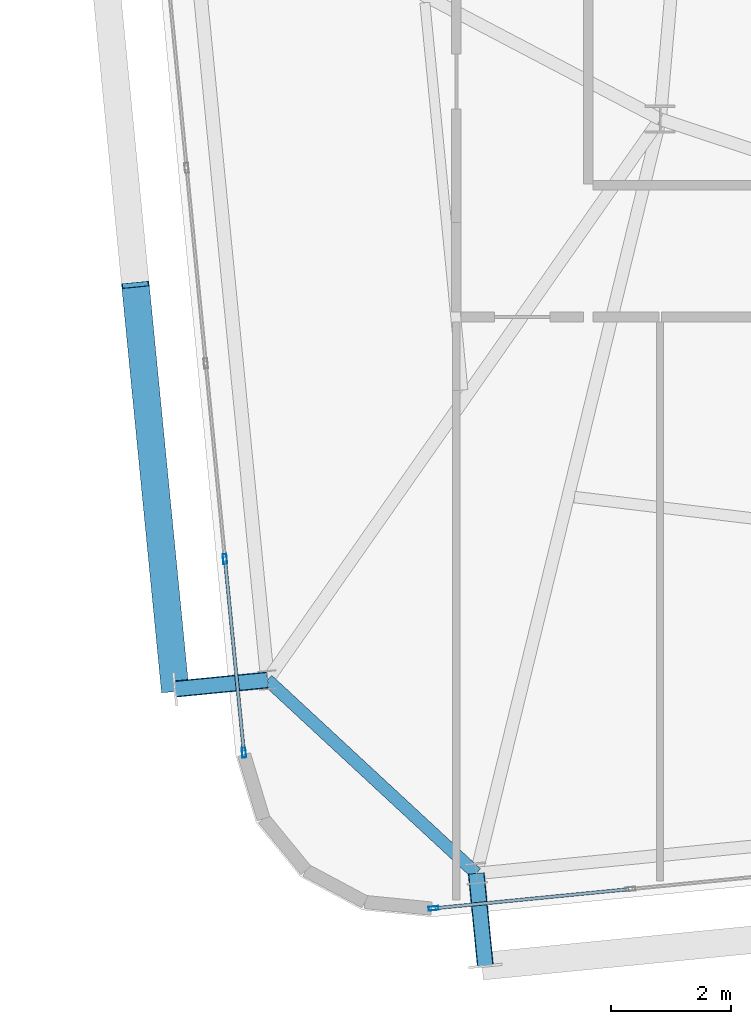
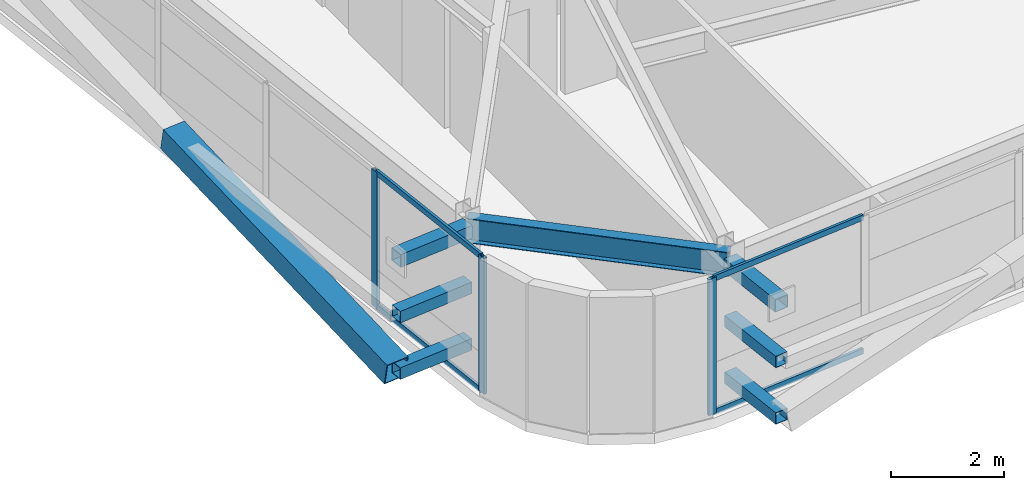
# One storey, part 5 of 52: 14 members, 1 beam, 2 elements without a shape of their own.
"""IFC4 building model written with IfcOpenShell, lengths in metres."""

from ifc_helpers import new_model, si_unit, direction, frame, origin, origin_2d, place, context, subcontext, project, spatial, hollow_rectangle, i_section, extrude, source, transform, mapped, material, layer, layer_set, material_profile, profile_set, type_object, element, aggregate, save


model = new_model("IFC4")

# Units and contexts
model_context = context("Model", 3, precision=1e-05, world=origin(), true_north=direction((0.0, 1.0)))
body_context = subcontext(model_context, "Body", "Model", "MODEL_VIEW")
ifc_project = project(units=[si_unit("LENGTHUNIT", "METRE"), si_unit("AREAUNIT", "SQUARE_METRE"), si_unit("VOLUMEUNIT", "CUBIC_METRE"), si_unit("PLANEANGLEUNIT", "RADIAN"), si_unit("MASSUNIT", "GRAM", prefix="KILO")], contexts=[model_context])

# Site, building, storey
site_placement = place(None, origin())
site = spatial("IfcSite", under=ifc_project, at=site_placement, CompositionType="ELEMENT")
building_placement = place(site_placement, origin())
building = spatial("IfcBuilding", under=site, at=building_placement, Name="Taldren Reach Tower", CompositionType="ELEMENT")
storey_placement = place(building_placement, frame((0.0, 0.0, 93.449951171875)))
storey = spatial("IfcBuildingStorey", under=building, at=storey_placement, Name="L28", CompositionType="ELEMENT", Elevation=93.449951171875)

# Beam
ifc_material_1 = material(Name="Steel Gr 350 (350PLUS)", Category="steel")
ifc_material_profile_1 = material_profile(ifc_material_1, i_section(OverallWidth=0.208984375, OverallDepth=0.528076171875, WebThickness=0.009521484375, FlangeThickness=0.01318359375, at=origin_2d()), Name="530UB82.0")
ifc_profile_set_1 = profile_set([ifc_material_profile_1], Name="Steel Gr 350 (350PLUS)")
beam_type = type_object("IfcBeamType", Name="SP-UB530B", PredefinedType="SPANDREL", material=ifc_profile_set_1)
shared_shape_1 = source(origin(), body_context, "Body", "SweptSolid", [
    extrude(i_section(OverallWidth=0.208984375, OverallDepth=0.528076171875, WebThickness=0.009521484375, FlangeThickness=0.01318359375, at=origin_2d()), origin(), (0.0, 0.0, 1.0), 4.745849609375),
])
beam_placement = place(storey_placement, frame((11.452880859375, 3.145751953125, 2.666015625), z_axis=(0.733524121458, -0.679663419083, 0.0), x_axis=(0.679663419083, 0.733524121458, 0.0)))
element("IfcBeam", 1, at=beam_placement, inside=storey, type_object=beam_type, Name="Perimeter spandrel B2 W1-S1 L28", PredefinedType="SPANDREL", context=body_context, shape_type="MappedRepresentation", body=[
    mapped(shared_shape_1, transform((0.0, 0.0, 0.0), scale=1.0)),
])

# Members
ifc_material_2 = material(Name="Steel Gr 450 (C450L0)", Category="steel")
ifc_material_profile_2 = material_profile(ifc_material_2, hollow_rectangle(XDim=0.27490234375, YDim=0.27490234375, WallThickness=0.00927734375, at=origin_2d()), Name="275x275x9.3SHS")
ifc_profile_set_2 = profile_set([ifc_material_profile_2], Name="Steel Gr 450 (C450L0)")
member_type_1 = type_object("IfcMemberType", Name="MB-TIE273", PredefinedType="STRUT", material=ifc_profile_set_2)
shared_shape_2 = source(origin(), body_context, "Body", "SweptSolid", [
    extrude(hollow_rectangle(XDim=0.27490234375, YDim=0.27490234375, WallThickness=0.00927734375, at=origin_2d()), origin(), (0.0, 0.0, 1.0), 1.550048828125),
])
for number, where, z_axis, x_axis, name in (
    (2, (14.93408203125, -0.079833984375, 2.650146484375), (0.097647892962, -0.9952210252, 0.0), (0.9952210252, 0.097647892962, 0.0), "Exoskeleton diaphragm tie strut B2-S1 L28"),
    (3, (11.452880859375, 3.145751953125, 2.650146484375), (-0.995236318924, -0.097491894511, 0.0), (0.097491894511, -0.995236318924, 0.0), "Exoskeleton diaphragm tie strut B2-W1 L28"),
):
    element("IfcMember", number, at=place(storey_placement, frame(where, z_axis=z_axis, x_axis=x_axis)), inside=storey, type_object=member_type_1, Name=name, PredefinedType="STRUT", context=body_context, shape_type="MappedRepresentation", body=[
        mapped(shared_shape_2, transform((0.0, 0.0, 0.0), scale=1.0)),
    ])
ifc_material_3 = material(Name="Steel Gr 350 (C350L0)", Category="steel")
ifc_material_profile_3 = material_profile(ifc_material_3, hollow_rectangle(XDim=0.25, YDim=0.25, WallThickness=0.010009765625, at=origin_2d()), Name="250x250x10.0SHS")
ifc_profile_set_3 = profile_set([ifc_material_profile_3], Name="Steel Gr 350 (C350L0)")
member_type_2 = type_object("IfcMemberType", Name="MB-POST250", PredefinedType="POST", material=ifc_profile_set_3)
shared_shape_3 = source(origin(), body_context, "Body", "SweptSolid", [
    extrude(hollow_rectangle(XDim=0.25, YDim=0.25, WallThickness=0.010009765625, at=origin_2d()), origin(), (0.0, 0.0, 1.0), 1.550048828125),
])
for number, where, z_axis, x_axis, name in (
    (4, (14.93408203125, -0.079833984375, 0.219970703125), (0.097647892962, -0.9952210252, 0.0), (0.9952210252, 0.097647892962, 0.0), "Exoskeleton base diaphragm tie strut B2-S1 L28"),
    (5, (11.452880859375, 3.145751953125, 0.219970703125), (-0.995236318924, -0.097491894511, 0.0), (0.097491894511, -0.995236318924, 0.0), "Exoskeleton base diaphragm tie strut B2-W1 L28"),
    (6, (14.93408203125, -0.079833984375, 1.43505859375), (0.097647892962, -0.9952210252, 0.0), (0.9952210252, 0.097647892962, 0.0), "Exoskeleton mid-tier diaphragm tie B2-S1 L28"),
    (7, (11.452880859375, 3.145751953125, 1.43505859375), (-0.995236318924, -0.097491894511, 0.0), (0.097491894511, -0.995236318924, 0.0), "Exoskeleton mid-tier diaphragm tie B2-W1 L28"),
):
    element("IfcMember", number, at=place(storey_placement, frame(where, z_axis=z_axis, x_axis=x_axis)), inside=storey, type_object=member_type_2, Name=name, PredefinedType="POST", context=body_context, shape_type="MappedRepresentation", body=[
        mapped(shared_shape_3, transform((0.0, 0.0, 0.0), scale=1.0)),
    ])
ifc_material_profile_4 = material_profile(ifc_material_2, hollow_rectangle(XDim=0.4599609375, YDim=0.4599609375, WallThickness=0.01611328125, at=origin_2d()), Name="460x460x16.0SHS")
ifc_profile_set_4 = profile_set([ifc_material_profile_4], Name="Steel Gr 450 (C450L0)")
member_type_3 = type_object("IfcMemberType", Name="MB-EXO457", PredefinedType="BRACE", material=ifc_profile_set_4)
shared_shape_4 = source(origin(), body_context, "Body", "SweptSolid", [
    extrude(hollow_rectangle(XDim=0.4599609375, YDim=0.4599609375, WallThickness=0.01611328125, at=origin_2d()), origin(), (0.0, 0.0, 1.0), 6.883056640625),
])
member_1_placement = place(storey_placement, frame((9.91015625, 2.99462890625, 0.219970703125), z_axis=(-0.09605145821, 0.97959718347, 0.176531797456), x_axis=(-0.995227290009, -0.097584021339, 0.0)))
element("IfcMember", 8, at=member_1_placement, inside=storey, type_object=member_type_3, Name="Exoskeleton Diagrid Brace B2-W1 L28", PredefinedType="BRACE", context=body_context, shape_type="MappedRepresentation", body=[
    mapped(shared_shape_4, transform((0.0, 0.0, 0.0), scale=1.0)),
])

# Curtain wall, member
ifc_material_4 = material(Name="Aluminium and Low-E Glass Unitised System", Category="aluminium")
ifc_layer = layer(ifc_material_4, 0.159912109375)
ifc_layer_set = layer_set([ifc_layer], Name="Aluminium and Low-E Glass Unitised System")
curtain_wall_type = type_object("IfcCurtainWallType", Name="CW-SYS-3", PredefinedType="NOTDEFINED", material=ifc_layer_set)
curtain_wall_1_placement = place(storey_placement, origin())
curtain_wall_1 = element("IfcCurtainWall", 9, at=curtain_wall_1_placement, inside=storey, type_object=curtain_wall_type, Name="Unitised curtain wall CW-L28-S", PredefinedType="NOTDEFINED")
ifc_material_5 = material(Name="Anodised Aluminium 6063-T6", Category="aluminium")
ifc_material_profile_5 = material_profile(ifc_material_5, hollow_rectangle(XDim=0.06494140625, YDim=0.1650390625, WallThickness=0.00390625, at=origin_2d()), Name="ALU-165x65x4RHS")
ifc_profile_set_5 = profile_set([ifc_material_profile_5], Name="Anodised Aluminium 6063-T6")
member_type_4 = type_object("IfcMemberType", Name="CW-MUL-165", PredefinedType="MULLION", material=ifc_profile_set_5)
shared_shape_5 = source(origin(), body_context, "Body", "SweptSolid", [
    extrude(hollow_rectangle(XDim=0.06494140625, YDim=0.1650390625, WallThickness=0.00390625, at=origin_2d()), origin(), (0.0, 0.0, 1.0), 2.929931640625),
])
member_2_placement = place(storey_placement, frame((14.22021484375, -0.662353515625, 0.0), z_axis=(0.0, 0.0, 1.0), x_axis=(-0.097582999046, 0.995227390247, 0.0)))
member_2 = element("IfcMember", 10, at=member_2_placement, type_object=member_type_4, Name="CW-3 mullion 1", PredefinedType="MULLION", context=body_context, shape_type="MappedRepresentation", body=[
    mapped(shared_shape_5, transform((0.0, 0.0, 0.0), scale=1.0)),
])

# Curtain wall, members
curtain_wall_2_placement = place(storey_placement, origin())
curtain_wall_2 = element("IfcCurtainWall", 11, at=curtain_wall_2_placement, inside=storey, type_object=curtain_wall_type, Name="Unitised curtain wall CW-L28-W", PredefinedType="NOTDEFINED")
member_3_placement = place(storey_placement, frame((10.742431640625, 5.163818359375, 0.0), z_axis=(0.0, 0.0, 1.0), x_axis=(0.99522741555, 0.09758274098, 0.0)))
member_3 = element("IfcMember", 12, at=member_3_placement, type_object=member_type_4, Name="CW-3 mullion 9", PredefinedType="MULLION", context=body_context, shape_type="MappedRepresentation", body=[
    mapped(shared_shape_5, transform((0.0, 0.0, 0.0), scale=1.0)),
])
member_4_placement = place(storey_placement, frame((11.05908203125, 1.93408203125, 0.0), z_axis=(0.0, 0.0, 1.0), x_axis=(0.99522741555, 0.09758274098, 0.0)))
member_4 = element("IfcMember", 13, at=member_4_placement, type_object=member_type_4, Name="CW-3 mullion 10", PredefinedType="MULLION", context=body_context, shape_type="MappedRepresentation", body=[
    mapped(shared_shape_5, transform((0.0, 0.0, 0.0), scale=1.0)),
])

# Member
ifc_material_profile_6 = material_profile(ifc_material_5, hollow_rectangle(XDim=0.054931640625, YDim=0.1201171875, WallThickness=0.0029296875, at=origin_2d()), Name="ALU-120x55x3RHS")
ifc_profile_set_6 = profile_set([ifc_material_profile_6], Name="Anodised Aluminium 6063-T6")
member_type_5 = type_object("IfcMemberType", Name="CW-TRN-135", PredefinedType="USERDEFINED", material=ifc_profile_set_6)
shared_shape_6 = source(origin(), body_context, "Body", "SweptSolid", [
    extrude(hollow_rectangle(XDim=0.054931640625, YDim=0.1201171875, WallThickness=0.0029296875, at=origin_2d()), origin(), (0.0, 0.0, 1.0), 3.23583984375),
])
member_5_placement = place(storey_placement, frame((14.25244140625, -0.6591796875, 0.027587890625), z_axis=(0.995230248826, 0.097553840629, 0.0), x_axis=(-0.097553840629, 0.995230248826, 0.0)))
member_5 = element("IfcMember", 14, at=member_5_placement, type_object=member_type_5, Name="CW-3 transom 1.1", ObjectType="TRANSOM", PredefinedType="USERDEFINED", context=body_context, shape_type="MappedRepresentation", body=[
    mapped(shared_shape_6, transform((0.0, 0.0, 0.0), scale=1.0)),
])

member_6_placement = place(storey_placement, frame((14.25244140625, -0.6591796875, 2.902587890625), z_axis=(0.995230248826, 0.097553840629, 0.0), x_axis=(-0.097553840629, 0.995230248826, 0.0)))
member_6 = element("IfcMember", 15, at=member_6_placement, type_object=member_type_5, Name="CW-3 transom 1.2", ObjectType="TRANSOM", PredefinedType="USERDEFINED", context=body_context, shape_type="MappedRepresentation", body=[
    mapped(shared_shape_6, transform((0.0, 0.0, 0.0), scale=1.0)),
])

aggregate(curtain_wall_1, [member_2, member_5, member_6])

shared_shape_7 = source(origin(), body_context, "Body", "SweptSolid", [
    extrude(hollow_rectangle(XDim=0.054931640625, YDim=0.1201171875, WallThickness=0.0029296875, at=origin_2d()), origin(), (0.0, 0.0, 1.0), 3.180419921875),
])
member_7_placement = place(storey_placement, frame((10.74560546875, 5.131591796875, 0.027587890625), z_axis=(0.097565460739, -0.995229109738, 0.0), x_axis=(0.995229109738, 0.097565460739, 0.0)))
member_7 = element("IfcMember", 16, at=member_7_placement, type_object=member_type_5, Name="CW-3 transom 9.1", ObjectType="TRANSOM", PredefinedType="USERDEFINED", context=body_context, shape_type="MappedRepresentation", body=[
    mapped(shared_shape_7, transform((0.0, 0.0, 0.0), scale=1.0)),
])

member_8_placement = place(storey_placement, frame((10.74560546875, 5.131591796875, 2.902587890625), z_axis=(0.097565460739, -0.995229109738, 0.0), x_axis=(0.995229109738, 0.097565460739, 0.0)))
member_8 = element("IfcMember", 17, at=member_8_placement, type_object=member_type_5, Name="CW-3 transom 9.2", ObjectType="TRANSOM", PredefinedType="USERDEFINED", context=body_context, shape_type="MappedRepresentation", body=[
    mapped(shared_shape_7, transform((0.0, 0.0, 0.0), scale=1.0)),
])

aggregate(curtain_wall_2, [member_3, member_4, member_7, member_8])

save(model, "model.ifc")
